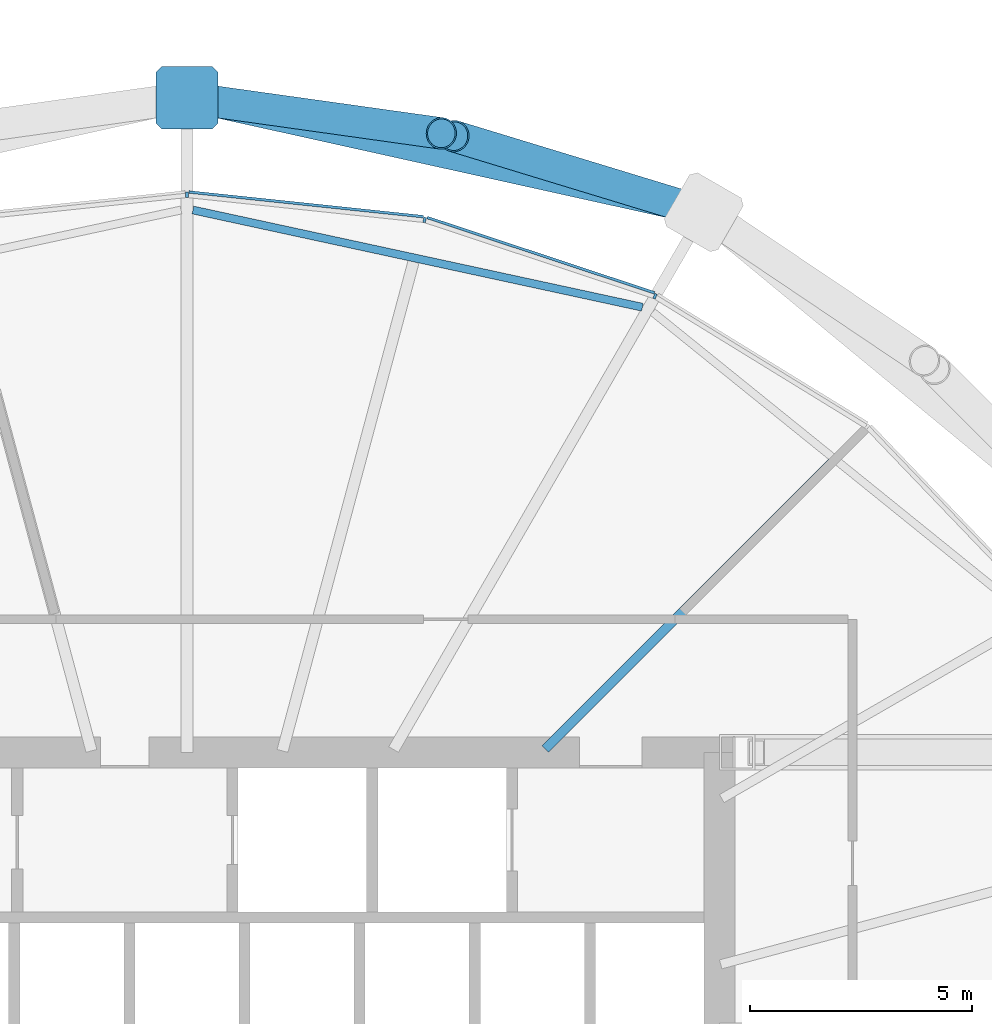
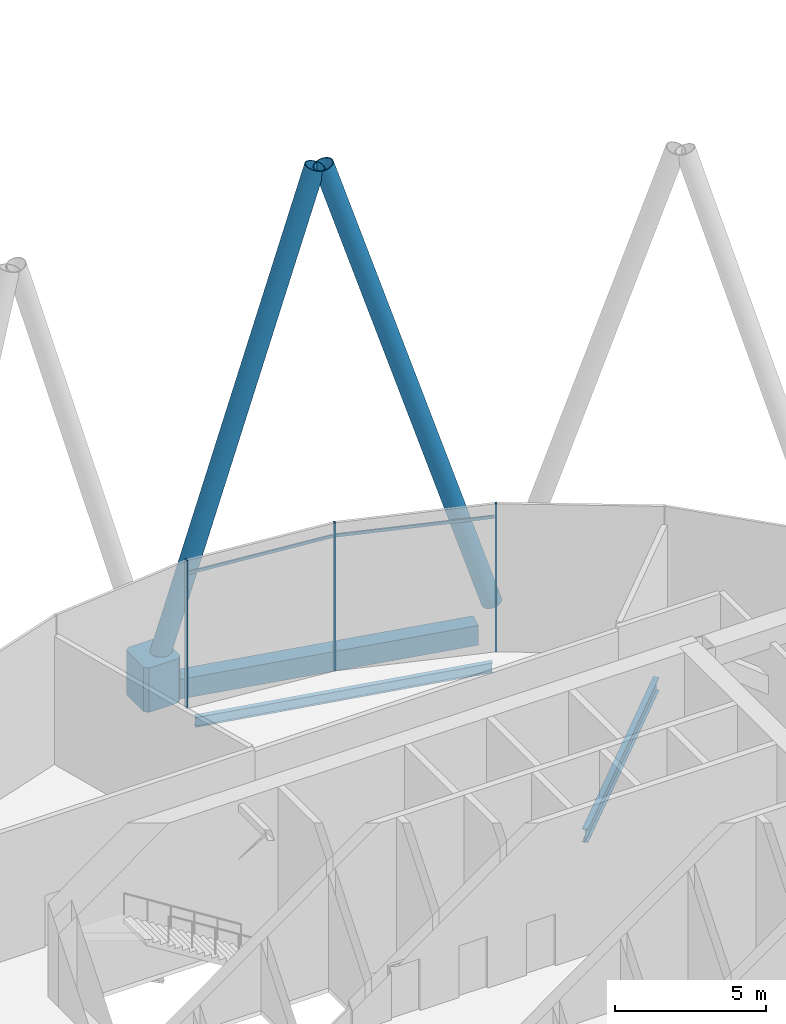
# One storey, part 15 of 39: 8 members, 3 beams, 1 element without a shape of its own.
"""IFC4 building model written with IfcOpenShell, lengths in metres."""

import ifcopenshell
import ifcopenshell.guid

model = None  # the IFC model being written
_history = None  # IfcOwnerHistory: only IFC2X3 demands one
_inside = {}  # id of a spatial element -> (the spatial element, [elements in it])
_under = {}  # id of a project, library or spatial element -> (it, [spatial elements below it])
_declared = {}  # id of a project -> (the project, [libraries it declares])
_typed = {}  # id of a type object -> (the type object, [elements of that type])
_made_of = {}  # id of a material, layer set ... -> (it, [elements and type objects made of it])


def new_model(schema):
    """Start an empty IFC model of exactly this schema.

    Asked for "IFC4X3", IfcOpenShell would pick the latest addendum, in which some entities
    have other attributes; the version numbers below select the first issue.
    IFC2X3 requires an IfcOwnerHistory on every rooted entity: one is made here for all.
    """
    global model, _history
    if schema == "IFC4X3":
        model = ifcopenshell.file(schema_version=(4, 3, 0, 0))
    else:
        model = ifcopenshell.file(schema=schema)
    _inside.clear()
    _under.clear()
    _declared.clear()
    _typed.clear()
    _made_of.clear()
    _history = None
    if model.schema == "IFC2X3":
        org = make("IfcOrganization", Name="unknown")
        user = make(
            "IfcPersonAndOrganization",
            ThePerson=make("IfcPerson", FamilyName="unknown"),
            TheOrganization=org,
        )
        app = make(
            "IfcApplication",
            ApplicationDeveloper=org,
            Version="unknown",
            ApplicationFullName="unknown",
            ApplicationIdentifier="unknown",
        )
        _history = make(
            "IfcOwnerHistory",
            OwningUser=user,
            OwningApplication=app,
            ChangeAction="ADDED",
            CreationDate=0,
        )
    return model


def make(cls, **values):
    """One entity of the class cls with the attributes given. An attribute that is None is left unset."""
    return model.create_entity(
        cls, **{name: value for name, value in values.items() if value is not None}
    )


def rooted(cls, **values):
    """An entity with a GlobalId (a new one), such as an element, a storey or a relation."""
    return make(cls, GlobalId=ifcopenshell.guid.new(), OwnerHistory=_history, **values)


def si_unit(unit_type, name, prefix=None):
    """IfcSIUnit, for example si_unit("LENGTHUNIT", "METRE", prefix="MILLI")."""
    return make("IfcSIUnit", UnitType=unit_type, Prefix=prefix, Name=name)


def assignment(units):
    """IfcUnitAssignment: the units of a project."""
    return None if units is None else make("IfcUnitAssignment", Units=units)


def point(xyz):
    """IfcCartesianPoint."""
    return None if xyz is None else make("IfcCartesianPoint", Coordinates=xyz)


def direction(xyz):
    """IfcDirection."""
    return None if xyz is None else make("IfcDirection", DirectionRatios=xyz)


def frame(location, z_axis=None, x_axis=None):
    """IfcAxis2Placement3D, a coordinate frame: its origin and axes. An axis left out is left unset."""
    return make(
        "IfcAxis2Placement3D",
        Location=point(location),
        Axis=direction(z_axis),
        RefDirection=direction(x_axis),
    )


def frame_2d(location, x_axis=None):
    """IfcAxis2Placement2D, a coordinate frame in the plane: its origin and x axis."""
    return make(
        "IfcAxis2Placement2D", Location=point(location), RefDirection=direction(x_axis)
    )


def origin():
    """The frame at (0, 0, 0) with its axes left unset."""
    return frame((0.0, 0.0, 0.0))


def origin_2d():
    """The frame at (0, 0) in the plane with its x axis left unset."""
    return frame_2d((0.0, 0.0))


def place(relative_to, where):
    """IfcLocalPlacement: puts the frame where relative to a parent placement (None: the world)."""
    return make(
        "IfcLocalPlacement", PlacementRelTo=relative_to, RelativePlacement=where
    )


def context(
    kind, dimensions, precision=None, world=None, true_north=None, identifier=None
):
    """IfcGeometricRepresentationContext, for example the 3D "Model" context."""
    return make(
        "IfcGeometricRepresentationContext",
        ContextIdentifier=identifier,
        ContextType=kind,
        CoordinateSpaceDimension=dimensions,
        Precision=precision,
        WorldCoordinateSystem=world,
        TrueNorth=true_north,
    )


def subcontext(parent, identifier, kind, view, scale=None):
    """IfcGeometricRepresentationSubContext, for example "Body" below "Model"."""
    return make(
        "IfcGeometricRepresentationSubContext",
        ContextIdentifier=identifier,
        ContextType=kind,
        ParentContext=parent,
        TargetScale=scale,
        TargetView=view,
    )


def project(units=None, contexts=None):
    """IfcProject with its units and contexts."""
    return rooted(
        "IfcProject",
        Name="project",
        RepresentationContexts=contexts,
        UnitsInContext=assignment(units),
    )


def spatial(cls, under=None, at=None, **own):
    """A site, building, storey or space (cls), placed at a placement, below another one or the project."""
    s = rooted(cls, ObjectPlacement=at, **own)
    if under is not None:
        _under.setdefault(under.id(), (under, []))[1].append(s)
    return s


def polyline(points):
    """IfcPolyline through the points."""
    return make("IfcPolyline", Points=[point(p) for p in points])


def profile(cls, at=None, kind="AREA", **sizes):
    """A parametric profile (cls). Its sizes go by their IFC names, for example OverallWidth=200.0."""
    return make(cls, ProfileType=kind, Position=at, **sizes)


def rectangle(**sizes):
    """IfcRectangleProfileDef."""
    return profile("IfcRectangleProfileDef", **sizes)


def hollow_rectangle(**sizes):
    """IfcRectangleHollowProfileDef."""
    return profile("IfcRectangleHollowProfileDef", **sizes)


def hollow_circle(**sizes):
    """IfcCircleHollowProfileDef."""
    return profile("IfcCircleHollowProfileDef", **sizes)


def i_section(**sizes):
    """IfcIShapeProfileDef."""
    return profile("IfcIShapeProfileDef", **sizes)


def outline(outer, holes=None, kind="AREA"):
    """IfcArbitraryClosedProfileDef: a profile drawn as a closed curve; with holes, ...WithVoids."""
    if holes is None:
        return make("IfcArbitraryClosedProfileDef", ProfileType=kind, OuterCurve=outer)
    return make(
        "IfcArbitraryProfileDefWithVoids",
        ProfileType=kind,
        OuterCurve=outer,
        InnerCurves=holes,
    )


def extrude(swept, where, along, depth):
    """IfcExtrudedAreaSolid: the profile swept, set in the frame where, extruded along a direction by depth."""
    return make(
        "IfcExtrudedAreaSolid",
        SweptArea=swept,
        Position=where,
        ExtrudedDirection=direction(along),
        Depth=depth,
    )


def shape(context_of_items, identifier, shape_type, items):
    """IfcShapeRepresentation: the items that make up one representation, for example the "Body"."""
    return make(
        "IfcShapeRepresentation",
        ContextOfItems=context_of_items,
        RepresentationIdentifier=identifier,
        RepresentationType=shape_type,
        Items=items,
    )


def material(Name=None, Category=None):
    """IfcMaterial."""
    return make("IfcMaterial", Name=Name, Category=Category)


def material_profile(
    of_material, cross_section, Name=None, Category=None, Priority=None
):
    """IfcMaterialProfile: a cross section and its material."""
    return make(
        "IfcMaterialProfile",
        Name=Name,
        Material=of_material,
        Profile=cross_section,
        Priority=Priority,
        Category=Category,
    )


def profile_set(profiles, Name=None, composite=None):
    """IfcMaterialProfileSet."""
    return make(
        "IfcMaterialProfileSet",
        Name=Name,
        MaterialProfiles=profiles,
        CompositeProfile=composite,
    )


def made_of(thing, what):
    """Note that an element or type object is made of a material, layer set ...; save() writes the relation."""
    if what is not None:
        _made_of.setdefault(what.id(), (what, []))[1].append(thing)
    return thing


def type_object(cls, material=None, **own):
    """A type object (cls), such as IfcWallType, which elements share."""
    return made_of(rooted(cls, **own), material)


def element(
    cls,
    number,
    at=None,
    inside=None,
    cuts=None,
    type_object=None,
    material=None,
    context=None,
    identifier="Body",
    shape_type=None,
    held_by="IfcProductDefinitionShape",
    body=None,
    shapes=None,
    **own,
):
    """One element of the class cls, such as IfcWall. Its Tag is "e" and its number.

    at: its placement. inside: the storey or other place that contains it. cuts: it is an
    opening in that element (IfcRelVoidsElement). A single representation is given by context,
    identifier, shape_type and body (its items); several are given by shapes. held_by: the class
    of the entity that holds the representations. save() writes the other relations.
    """
    e = rooted(cls, Tag="e%d" % number, ObjectPlacement=at, **own)
    if body is not None:
        shapes = [shape(context, identifier, shape_type, body)]
    if shapes is not None:
        e.Representation = make(held_by, Representations=shapes)
    if inside is not None:
        _inside.setdefault(inside.id(), (inside, []))[1].append(e)
    if cuts is not None:
        rooted(
            "IfcRelVoidsElement", RelatingBuildingElement=cuts, RelatedOpeningElement=e
        )
    if type_object is not None:
        _typed.setdefault(type_object.id(), (type_object, []))[1].append(e)
    return made_of(e, material)


def aggregate(whole, parts):
    """IfcRelAggregates: a whole, such as a stair, and the parts it consists of."""
    return rooted("IfcRelAggregates", RelatingObject=whole, RelatedObjects=parts)


def save(model, path):
    """Write the relations noted so far, then the file.

    IfcRelAggregates (storeys below a building ...), IfcRelContainedInSpatialStructure (elements
    in a storey), IfcRelDefinesByType, IfcRelAssociatesMaterial and IfcRelDeclares: one each for
    every whole, place, type object, material and project.
    """
    for whole, parts in _under.values():
        aggregate(whole, parts)
    for where, things in _inside.values():
        rooted(
            "IfcRelContainedInSpatialStructure",
            RelatedElements=things,
            RelatingStructure=where,
        )
    for kind, things in _typed.values():
        rooted("IfcRelDefinesByType", RelatedObjects=things, RelatingType=kind)
    for what, things in _made_of.values():
        rooted("IfcRelAssociatesMaterial", RelatedObjects=things, RelatingMaterial=what)
    for by, libraries in _declared.values():
        rooted("IfcRelDeclares", RelatingContext=by, RelatedDefinitions=libraries)
    model.write(path)


model = new_model("IFC4")

# Units and contexts
model_context = context("Model", 3, precision=1e-05, world=origin(), true_north=direction((0.0, 1.0)))
body_context = subcontext(model_context, "Body", "Model", "MODEL_VIEW")
ifc_project = project(units=[si_unit("LENGTHUNIT", "METRE"), si_unit("AREAUNIT", "SQUARE_METRE"), si_unit("VOLUMEUNIT", "CUBIC_METRE"), si_unit("PLANEANGLEUNIT", "RADIAN"), si_unit("MASSUNIT", "GRAM", prefix="KILO")], contexts=[model_context])

# Site, building, storey
site_placement = place(None, origin())
site = spatial("IfcSite", under=ifc_project, at=site_placement, CompositionType="ELEMENT")
building_placement = place(site_placement, origin())
building = spatial("IfcBuilding", under=site, at=building_placement, Name="Rimbun Link Towers", CompositionType="ELEMENT")
storey_placement = place(building_placement, frame((0.0, 0.0, 127.199951171875)))
storey = spatial("IfcBuildingStorey", under=building, at=storey_placement, Name="L31", CompositionType="ELEMENT", Elevation=127.199951171875)

# Curtain wall, members
ifc_material_1 = material(Name="Aluminium 6063-T6 louvre wall", Category="aluminium")
curtain_wall_type = type_object("IfcCurtainWallType", Name="CW6 plant floor louvre wall", PredefinedType="NOTDEFINED", material=ifc_material_1)
curtain_wall_placement = place(storey_placement, origin())
curtain_wall = element("IfcCurtainWall", 1, at=curtain_wall_placement, inside=storey, type_object=curtain_wall_type, Name="CW6 L31 T1", PredefinedType="NOTDEFINED")
ifc_material_2 = material(Name="Aluminium 6063-T6", Category="aluminium")
ifc_material_profile_1 = material_profile(ifc_material_2, rectangle(XDim=0.1201171875, YDim=0.06005859375, at=origin_2d()), Name="MULLION 60X120")
ifc_profile_set_1 = profile_set([ifc_material_profile_1], Name="Aluminium 6063-T6")
member_type_1 = type_object("IfcMemberType", Name="CW6 mullion 60X120", PredefinedType="MULLION", material=ifc_profile_set_1)
member_1_placement = place(storey_placement, frame((-21.2021484375, 18.27978515625, 0.0), z_axis=(0.0, 0.0, 1.0), x_axis=(0.421706860892, 0.906732222586, 0.0)))
member_1 = element("IfcMember", 2, at=member_1_placement, type_object=member_type_1, Name="CW6 mullion", PredefinedType="MULLION", context=body_context, shape_type="SweptSolid", body=[
    extrude(rectangle(XDim=0.1201171875, YDim=0.06005859375, at=origin_2d()), origin(), (0.0, 0.0, 1.0), 6.0),
])
member_2_placement = place(storey_placement, frame((-26.39404296875, 20.00048828125, 0.0), z_axis=(0.0, 0.0, 1.0), x_axis=(0.210874745282, 0.977513090348, 0.0)))
member_2 = element("IfcMember", 3, at=member_2_placement, type_object=member_type_1, Name="CW6 mullion", PredefinedType="MULLION", context=body_context, shape_type="SweptSolid", body=[
    extrude(rectangle(XDim=0.1201171875, YDim=0.06005859375, at=origin_2d()), origin(), (0.0, 0.0, 1.0), 6.0),
])
member_3_placement = place(storey_placement, frame((-31.75, 20.564697265625, 0.0), z_axis=(0.0, 0.0, 1.0), x_axis=(0.0, 1.0, 0.0)))
member_3 = element("IfcMember", 4, at=member_3_placement, type_object=member_type_1, Name="CW6 mullion", PredefinedType="MULLION", context=body_context, shape_type="SweptSolid", body=[
    extrude(rectangle(XDim=0.1201171875, YDim=0.06005859375, at=origin_2d()), origin(), (0.0, 0.0, 1.0), 6.0),
])
ifc_material_3 = material(Name="Aluminium 6063-T6", Category="aluminium")
ifc_material_profile_2 = material_profile(ifc_material_3, rectangle(XDim=0.06005859375, YDim=0.1201171875, at=origin_2d()), Name="TRANSOM 60X120")
ifc_profile_set_2 = profile_set([ifc_material_profile_2], Name="Aluminium 6063-T6")
member_type_2 = type_object("IfcMemberType", Name="CW6 transom 60X120", PredefinedType="USERDEFINED", material=ifc_profile_set_2)
member_4_placement = place(storey_placement, frame((-26.337158203125, 20.0556640625, 5.400146484375), z_axis=(0.949242844608, -0.314544149462, 0.0), x_axis=(0.314544149462, 0.949242844608, 0.0)))
member_4 = element("IfcMember", 5, at=member_4_placement, type_object=member_type_2, Name="CW6 transom", ObjectType="TRANSOM", PredefinedType="USERDEFINED", context=body_context, shape_type="SweptSolid", body=[
    extrude(rectangle(XDim=0.06005859375, YDim=0.1201171875, at=origin_2d()), origin(), (0.0, 0.0, 1.0), 5.39599609375),
])
member_5_placement = place(storey_placement, frame((-31.70654296875, 20.630859375, 5.400146484375), z_axis=(0.99449638466, -0.104770897192, 0.0), x_axis=(0.104770897192, 0.99449638466, 0.0)))
member_5 = element("IfcMember", 6, at=member_5_placement, type_object=member_type_2, Name="CW6 transom", ObjectType="TRANSOM", PredefinedType="USERDEFINED", context=body_context, shape_type="SweptSolid", body=[
    extrude(rectangle(XDim=0.06005859375, YDim=0.1201171875, at=origin_2d()), origin(), (0.0, 0.0, 1.0), 5.31298828125),
])
aggregate(curtain_wall, [member_1, member_2, member_3, member_4, member_5])

# Members
ifc_material_4 = material(Name="Steel S460NH", Category="steel")
ifc_material_profile_3 = material_profile(ifc_material_4, hollow_circle(Radius=0.355712890625, WallThickness=0.031982421875, at=origin_2d()), Name="Diagrid diagonal CHS 711x32")
ifc_profile_set_3 = profile_set([ifc_material_profile_3], Name="Steel S460NH")
member_type_3 = type_object("IfcMemberType", Name="Diagrid diagonal CHS 711x32", PredefinedType="BRACE", material=ifc_profile_set_3)
member_6_placement = place(storey_placement, frame((-20.2431640625, 20.216796875, 0.47802734375), z_axis=(-0.281420804771, 0.085705313131, 0.955749407503), x_axis=(-0.291334285464, -0.95662131176, 0.0)))
element("IfcMember", 7, at=member_6_placement, inside=storey, type_object=member_type_3, Name="Diagrid diagonal T1 L31-L35 04b", PredefinedType="BRACE", context=body_context, shape_type="SweptSolid", body=[
    extrude(hollow_circle(Radius=0.355712890625, WallThickness=0.031982421875, at=origin_2d()), origin(), (0.0, 0.0, 1.0), 19.50732421875),
])
member_7_placement = place(storey_placement, frame((-31.6064453125, 22.734619140625, 0.478515625), z_axis=(0.28694762566, -0.040208263437, 0.957102061266), x_axis=(0.13876833171, 0.990324870997, 0.0)))
element("IfcMember", 8, at=member_7_placement, inside=storey, type_object=member_type_3, Name="Diagrid diagonal T1 L31-L35 06a", PredefinedType="BRACE", context=body_context, shape_type="SweptSolid", body=[
    extrude(hollow_circle(Radius=0.355712890625, WallThickness=0.031982421875, at=origin_2d()), origin(), (0.0, 0.0, 1.0), 19.478759765625),
])
ifc_material_5 = material(Name="Cast steel G20Mn5+QT, Rp0.2 300 MPa", Category="steel")
ifc_material_profile_4 = material_profile(ifc_material_5, outline(polyline([(0.699951171875, -0.570068359375), (0.699951171875, 0.570068359375), (0.570068359375, 0.699951171875), (-0.570068359375, 0.699951171875), (-0.699951171875, 0.570068359375), (-0.699951171875, -0.570068359375), (-0.570068359375, -0.699951171875), (0.570068359375, -0.699951171875), (0.699951171875, -0.570068359375)])), Name="NODE 1400x1400")
ifc_profile_set_4 = profile_set([ifc_material_profile_4], Name="Cast steel G20Mn5+QT, Rp0.2 300 MPa")
member_type_4 = type_object("IfcMemberType", Name="Diagrid node cast 1400", PredefinedType="USERDEFINED", material=ifc_profile_set_4)
member_8_placement = place(storey_placement, frame((-31.75, 22.754638671875, -0.89990234375), z_axis=(0.0, 0.0, 1.0), x_axis=(0.0, 1.0, 0.0)))
element("IfcMember", 9, at=member_8_placement, inside=storey, type_object=member_type_4, Name="Diagrid node L31 06", ObjectType="Diagrid node", PredefinedType="USERDEFINED", context=body_context, shape_type="SweptSolid", body=[
    extrude(outline(polyline([(0.699951171875, -0.570068359375), (0.699951171875, 0.570068359375), (0.570068359375, 0.699951171875), (-0.570068359375, 0.699951171875), (-0.699951171875, 0.570068359375), (-0.699951171875, -0.570068359375), (-0.570068359375, -0.699951171875), (0.570068359375, -0.699951171875), (0.699951171875, -0.570068359375)])), origin(), (0.0, 0.0, 1.0), 1.800048828125),
])

# Beams
ifc_material_6 = material(Name="Steel S355J2", Category="steel")
ifc_material_profile_5 = material_profile(ifc_material_6, hollow_rectangle(XDim=0.60009765625, YDim=0.800048828125, WallThickness=0.0400390625, at=origin_2d()), Name="Exoskeleton ring girder BOX 600x800x40")
ifc_profile_set_5 = profile_set([ifc_material_profile_5], Name="Steel S355J2")
beam_type_1 = type_object("IfcBeamType", Name="Exoskeleton ring girder BOX 600x800x40", PredefinedType="BEAM", material=ifc_profile_set_5)
beam_1_placement = place(storey_placement, frame((-20.785888671875, 20.325439453125, -0.56005859375), z_axis=(-0.97632325002, 0.216316692536, 0.0), x_axis=(-0.216316692536, -0.97632325002, 0.0)))
element("IfcBeam", 10, at=beam_1_placement, inside=storey, type_object=beam_type_1, Name="Exoskeleton ring girder L31 02", PredefinedType="BEAM", context=body_context, shape_type="SweptSolid", body=[
    extrude(hollow_rectangle(XDim=0.60009765625, YDim=0.800048828125, WallThickness=0.0400390625, at=origin_2d()), origin(), (0.0, 0.0, 1.0), 10.530029296875),
])
ifc_material_7 = material(Name="Steel S355J2", Category="steel")
ifc_material_profile_6 = material_profile(ifc_material_7, i_section(OverallWidth=0.177978515625, OverallDepth=0.406494140625, WebThickness=0.0078125, FlangeThickness=0.0126953125, at=origin_2d()), Name="UB 406x178x60")
ifc_profile_set_6 = profile_set([ifc_material_profile_6], Name="Steel S355J2")
beam_type_2 = type_object("IfcBeamType", Name="UB 406x178x60", PredefinedType="BEAM", material=ifc_profile_set_6)
beam_2_placement = place(storey_placement, frame((-21.486328125, 18.03271484375, -0.383056640625), z_axis=(-0.97738890802, 0.211449574316, 0.0), x_axis=(-0.211449574316, -0.97738890802, 0.0)))
element("IfcBeam", 11, at=beam_2_placement, inside=storey, type_object=beam_type_2, Name="Edge beam T1 L31 04-06", PredefinedType="BEAM", context=body_context, shape_type="SweptSolid", body=[
    extrude(i_section(OverallWidth=0.177978515625, OverallDepth=0.406494140625, WebThickness=0.0078125, FlangeThickness=0.0126953125, at=origin_2d()), origin(), (0.0, 0.0, 1.0), 10.36376953125),
])
ifc_material_8 = material(Name="Steel S355J2", Category="steel")
ifc_material_profile_7 = material_profile(ifc_material_8, i_section(OverallWidth=0.209228515625, OverallDepth=0.533203125, WebThickness=0.010009765625, FlangeThickness=0.015625, at=origin_2d()), Name="UB 533x210x92")
ifc_profile_set_7 = profile_set([ifc_material_profile_7], Name="Steel S355J2")
beam_type_3 = type_object("IfcBeamType", Name="UB 533x210x92", PredefinedType="BEAM", material=ifc_profile_set_7)
beam_3_placement = place(storey_placement, frame((-23.67529296875, 8.07470703125, -0.446533203125), z_axis=(0.707106781187, 0.707106781187, 0.0), x_axis=(-0.707106781187, 0.707106781187, 0.0)))
element("IfcBeam", 12, at=beam_3_placement, inside=storey, type_object=beam_type_3, Name="Radial beam T1 L31 03", PredefinedType="BEAM", context=body_context, shape_type="SweptSolid", body=[
    extrude(i_section(OverallWidth=0.209228515625, OverallDepth=0.533203125, WebThickness=0.010009765625, FlangeThickness=0.015625, at=origin_2d()), origin(), (0.0, 0.0, 1.0), 9.144287109375),
])

save(model, "model.ifc")
